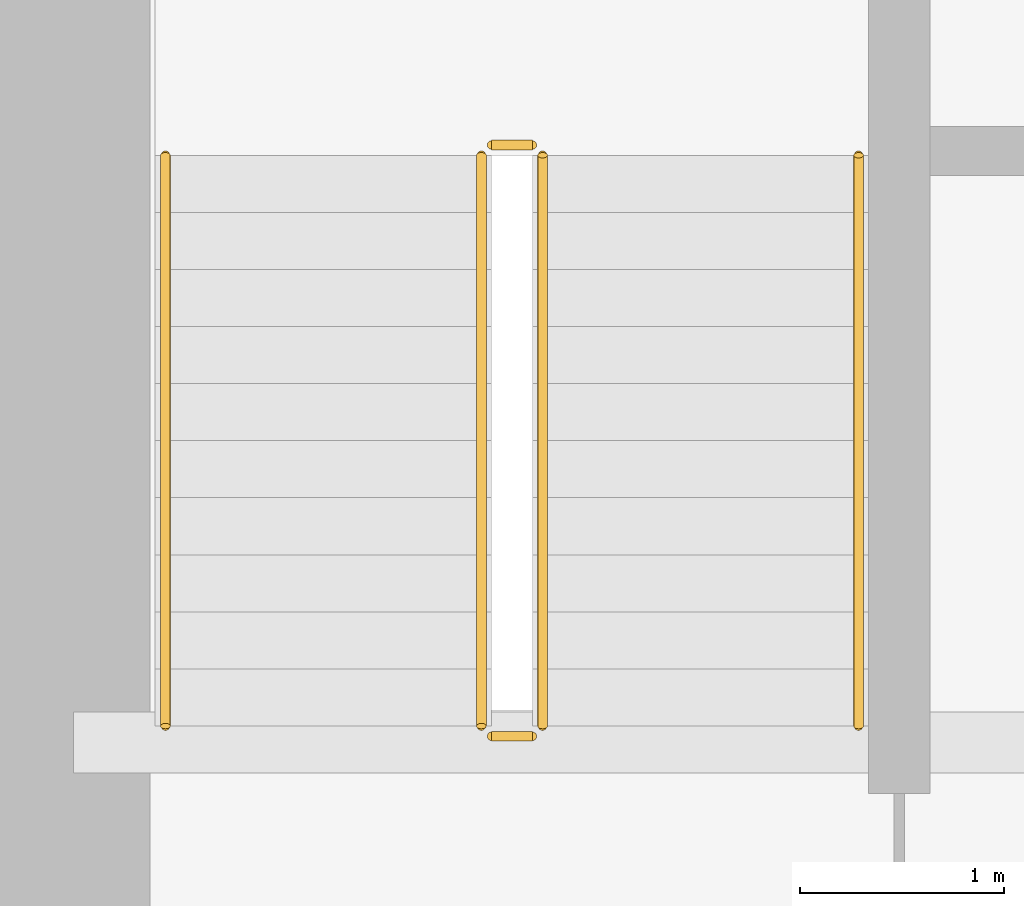
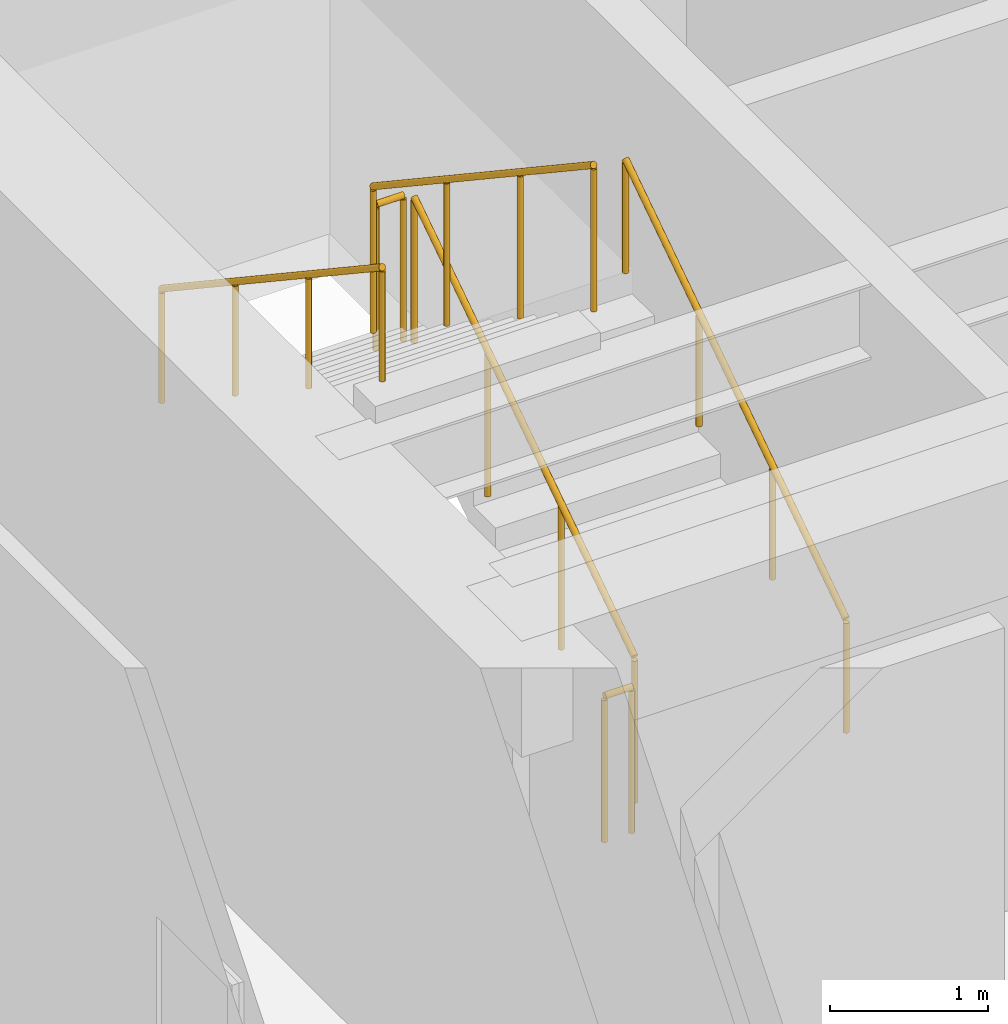
# One storey, part 34 of 35: 6 railings.
"""IFC4 building model written with IfcOpenShell, lengths in metres."""

from ifc_helpers import new_model, si_unit, direction, frame, origin, origin_2d, place, context, subcontext, project, spatial, circle, extrude, source, transform, mapped, material, type_object, type_shapes, element, save


model = new_model("IFC4")

# Units and contexts
model_context = context("Model", 3, precision=1e-05, world=origin(), true_north=direction((0.0, 1.0)))
body_context = subcontext(model_context, "Body", "Model", "MODEL_VIEW")
ifc_project = project(units=[si_unit("LENGTHUNIT", "METRE"), si_unit("AREAUNIT", "SQUARE_METRE"), si_unit("VOLUMEUNIT", "CUBIC_METRE"), si_unit("PLANEANGLEUNIT", "RADIAN"), si_unit("MASSUNIT", "GRAM", prefix="KILO")], contexts=[model_context])

# Site, building, storey
site_placement = place(None, origin())
site = spatial("IfcSite", under=ifc_project, at=site_placement, CompositionType="ELEMENT")
building_placement = place(site_placement, origin())
building = spatial("IfcBuilding", under=site, at=building_placement, Name="Haelvirn Gate Laboratories", CompositionType="ELEMENT")
storey_placement = place(building_placement, frame((0.0, 0.0, 66.199951171875)))
storey = spatial("IfcBuildingStorey", under=building, at=storey_placement, Name="L16", CompositionType="ELEMENT", Elevation=66.199951171875)

# Railings
ifc_material_1 = material(Name="Galvanised steel SM355 & stainless top rail", Category="steel")
railing_type_1 = type_object("IfcRailingType", Name="RL-GUARD-1150", PredefinedType="GUARDRAIL", material=ifc_material_1)
shared_shape_1 = source(origin(), body_context, "Body", "SweptSolid", [
    extrude(circle(Radius=0.02392578125, at=origin_2d()), frame((0.0, 0.0, 1.1259765625), z_axis=(-1.0, 0.0, 0.0), x_axis=(0.0, -1.0, 0.0)), (0.0, 0.0, 1.0), 0.199951171875),
    extrude(circle(Radius=0.02099609375, at=origin_2d()), origin(), (0.0, 0.0, 1.0), 1.101806640625),
    extrude(circle(Radius=0.02099609375, at=origin_2d()), frame((-0.199951171875, 0.0, 0.0)), (0.0, 0.0, 1.0), 1.101806640625),
])
for number, where, name in (
    (1, (9.64990234375, 29.550048828125, 2.050048828125), "L16 ST1 stair guard 2"),
    (2, (9.64990234375, 26.64990234375, 0.0), "L16 ST1 stair guard 4"),
):
    element("IfcRailing", number, at=place(storey_placement, frame(where)), inside=storey, type_object=railing_type_1, Name=name, PredefinedType="GUARDRAIL", context=body_context, shape_type="MappedRepresentation", body=[
        mapped(shared_shape_1, transform((0.0, 0.0, 0.0), scale=1.0)),
    ])
shared_shape_2 = source(origin(), body_context, "Body", "SweptSolid", [
    extrude(circle(Radius=0.02392578125, at=origin_2d()), frame((0.0, 0.0, 1.1259765625), z_axis=(0.0, 0.832485552168, 0.554046753832), x_axis=(-1.0, 0.0, 0.0)), (0.0, 0.0, 1.0), 3.363525390625),
    extrude(circle(Radius=0.02099609375, at=origin_2d()), origin(), (0.0, 0.0, 1.0), 1.101806640625),
    extrude(circle(Radius=0.02099609375, at=origin_2d()), frame((0.0, 0.933349609375, 0.62109375)), (0.0, 0.0, 1.0), 1.101806640625),
    extrude(circle(Radius=0.02099609375, at=origin_2d()), frame((0.0, 1.86669921875, 1.242431640625)), (0.0, 0.0, 1.0), 1.101806640625),
    extrude(circle(Radius=0.02099609375, at=origin_2d()), frame((0.0, 2.800048828125, 1.863525390625)), (0.0, 0.0, 1.0), 1.101806640625),
])
railing_1_placement = place(storey_placement, frame((9.699951171875, 26.699951171875, 0.1865234375)))
element("IfcRailing", 3, at=railing_1_placement, inside=storey, type_object=railing_type_1, Name="L16 ST1 stair guard 1", PredefinedType="GUARDRAIL", context=body_context, shape_type="MappedRepresentation", body=[
    mapped(shared_shape_2, transform((0.0, 0.0, 0.0), scale=1.0)),
])
shared_shape_3 = source(origin(), body_context, "Body", "SweptSolid", [
    extrude(circle(Radius=0.02392578125, at=origin_2d()), frame((0.0, 0.0, 1.1259765625), z_axis=(0.0, -0.832452072856, 0.554097055034), x_axis=(1.0, 0.0, 0.0)), (0.0, 0.0, 1.0), 3.363525390625),
    extrude(circle(Radius=0.02099609375, at=origin_2d()), origin(), (0.0, 0.0, 1.0), 1.101806640625),
    extrude(circle(Radius=0.02099609375, at=origin_2d()), frame((0.0, -0.933349609375, 0.621337890625)), (0.0, 0.0, 1.0), 1.101806640625),
    extrude(circle(Radius=0.02099609375, at=origin_2d()), frame((0.0, -1.86669921875, 1.242431640625)), (0.0, 0.0, 1.0), 1.101806640625),
    extrude(circle(Radius=0.02099609375, at=origin_2d()), frame((0.0, -2.800048828125, 1.86376953125)), (0.0, 0.0, 1.0), 1.101806640625),
])
type_shapes(railing_type_1, [shared_shape_1, shared_shape_2, shared_shape_3])
railing_2_placement = place(storey_placement, frame((9.39990234375, 29.5, 2.236328125)))
element("IfcRailing", 4, at=railing_2_placement, inside=storey, type_object=railing_type_1, Name="L16 ST1 stair guard 3", PredefinedType="GUARDRAIL", context=body_context, shape_type="MappedRepresentation", body=[
    mapped(shared_shape_3, transform((0.0, 0.0, 0.0), scale=1.0)),
])
ifc_material_2 = material(Name="Brushed stainless steel 316L", Category="steel")
railing_type_2 = type_object("IfcRailingType", Name="RL-HAND-920", PredefinedType="HANDRAIL", material=ifc_material_2)
shared_shape_4 = source(origin(), body_context, "Body", "SweptSolid", [
    extrude(circle(Radius=0.02392578125, at=origin_2d()), frame((0.0, 0.0, 0.8759765625), z_axis=(0.0, 0.832485552168, 0.554046753832), x_axis=(-1.0, 0.0, 0.0)), (0.0, 0.0, 1.0), 3.363525390625),
    extrude(circle(Radius=0.02099609375, at=origin_2d()), origin(), (0.0, 0.0, 1.0), 0.851806640625),
    extrude(circle(Radius=0.02099609375, at=origin_2d()), frame((0.0, 0.933349609375, 0.62109375)), (0.0, 0.0, 1.0), 0.851806640625),
    extrude(circle(Radius=0.02099609375, at=origin_2d()), frame((0.0, 1.86669921875, 1.242431640625)), (0.0, 0.0, 1.0), 0.851806640625),
    extrude(circle(Radius=0.02099609375, at=origin_2d()), frame((0.0, 2.800048828125, 1.863525390625)), (0.0, 0.0, 1.0), 0.851806640625),
])
railing_3_placement = place(storey_placement, frame((11.25, 26.699951171875, 0.1865234375)))
element("IfcRailing", 5, at=railing_3_placement, inside=storey, type_object=railing_type_2, Name="L16 ST1 stair handrail 1", PredefinedType="HANDRAIL", context=body_context, shape_type="MappedRepresentation", body=[
    mapped(shared_shape_4, transform((0.0, 0.0, 0.0), scale=1.0)),
])
shared_shape_5 = source(origin(), body_context, "Body", "SweptSolid", [
    extrude(circle(Radius=0.02392578125, at=origin_2d()), frame((0.0, 0.0, 0.8759765625), z_axis=(0.0, -0.832452072856, 0.554097055034), x_axis=(1.0, 0.0, 0.0)), (0.0, 0.0, 1.0), 3.363525390625),
    extrude(circle(Radius=0.02099609375, at=origin_2d()), origin(), (0.0, 0.0, 1.0), 0.851806640625),
    extrude(circle(Radius=0.02099609375, at=origin_2d()), frame((0.0, -0.933349609375, 0.621337890625)), (0.0, 0.0, 1.0), 0.851806640625),
    extrude(circle(Radius=0.02099609375, at=origin_2d()), frame((0.0, -1.86669921875, 1.242431640625)), (0.0, 0.0, 1.0), 0.851806640625),
    extrude(circle(Radius=0.02099609375, at=origin_2d()), frame((0.0, -2.800048828125, 1.86376953125)), (0.0, 0.0, 1.0), 0.851806640625),
])
type_shapes(railing_type_2, [shared_shape_4, shared_shape_5])
railing_4_placement = place(storey_placement, frame((7.85009765625, 29.5, 2.236328125)))
element("IfcRailing", 6, at=railing_4_placement, inside=storey, type_object=railing_type_2, Name="L16 ST1 stair handrail 2", PredefinedType="HANDRAIL", context=body_context, shape_type="MappedRepresentation", body=[
    mapped(shared_shape_5, transform((0.0, 0.0, 0.0), scale=1.0)),
])

save(model, "model.ifc")
